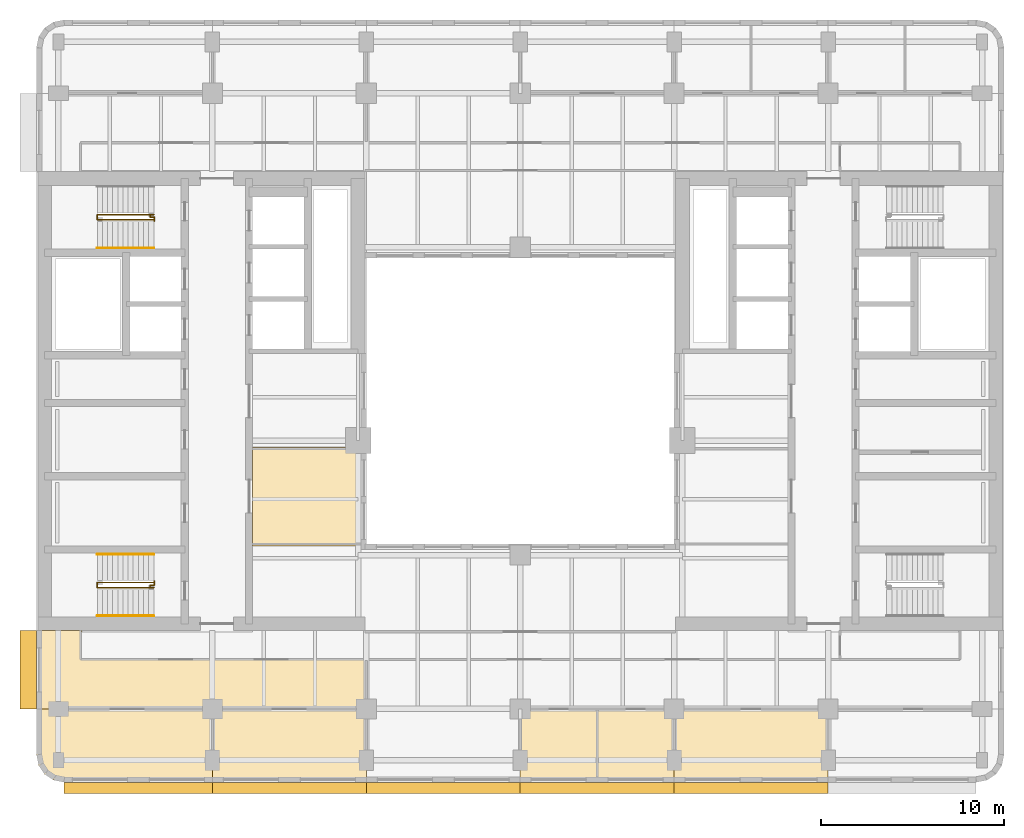
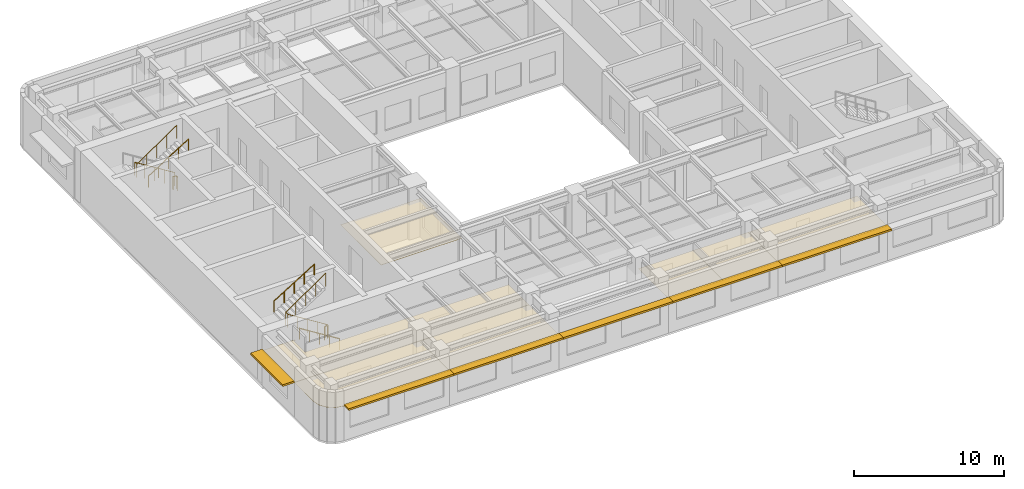
# One storey, part 9 of 11: 7 coverings, 7 railings, 6 shading devices.
"""IFC4 building model written with IfcOpenShell, lengths in metres."""

from ifc_helpers import new_model, si_unit, direction, frame, origin, origin_2d, place, context, subcontext, project, spatial, polyline, rectangle, circle, outline, extrude, material, layer, layer_set, type_object, element, save


model = new_model("IFC4")

# Units and contexts
model_context = context("Model", 3, precision=1e-05, world=origin(), true_north=direction((0.0, 1.0)))
body_context = subcontext(model_context, "Body", "Model", "MODEL_VIEW")
ifc_project = project(units=[si_unit("LENGTHUNIT", "METRE"), si_unit("AREAUNIT", "SQUARE_METRE"), si_unit("VOLUMEUNIT", "CUBIC_METRE"), si_unit("PLANEANGLEUNIT", "RADIAN"), si_unit("MASSUNIT", "GRAM", prefix="KILO")], contexts=[model_context])

# Site, building, storey
site_placement = place(None, origin())
site = spatial("IfcSite", under=ifc_project, at=site_placement, CompositionType="ELEMENT")
building_placement = place(site_placement, origin())
building = spatial("IfcBuilding", under=site, at=building_placement, Name="Claustro Exchange Tower", CompositionType="ELEMENT")
storey_placement = place(building_placement, frame((0.0, 0.0, 236.39990234375)))
storey = spatial("IfcBuildingStorey", under=building, at=storey_placement, Name="L54", CompositionType="ELEMENT", Elevation=236.39990234375)

# Coverings
ifc_material_1 = material(Name="Perforated metal ceiling tiles", Category="steel")
ifc_layer_1 = layer(ifc_material_1, 0.030029296875)
ifc_layer_set_1 = layer_set([ifc_layer_1], Name="Perforated metal ceiling tiles")
covering_type_1 = type_object("IfcCoveringType", Name="CL1 suspended metal ceiling", PredefinedType="CEILING", material=ifc_layer_set_1)
covering_1_placement = place(storey_placement, frame((0.0, 0.0, 2.800048828125)))
element("IfcCovering", 1, at=covering_1_placement, inside=storey, type_object=covering_type_1, Name="Ceiling CL1 L54-08", PredefinedType="CEILING", context=body_context, shape_type="SweptSolid", body=[
    extrude(outline(polyline([(1.199951171875, 11.10009765625), (1.199951171875, 12.60009765625), (1.294921875, 12.60009765625), (1.294921875, 12.675048828125), (-1.125, 12.675048828125), (-1.125, 12.695068359375), (-1.199951171875, 12.695068359375), (-1.199951171875, 8.39990234375), (16.800048828125, 8.39990234375), (16.800048828125, 11.10009765625), (1.199951171875, 11.10009765625)])), origin(), (0.0, 0.0, 1.0), 0.030029296875),
])
ifc_material_2 = material(Name="Gypsum board ceiling", Category="gypsum board")
ifc_layer_2 = layer(ifc_material_2, 0.02490234375)
ifc_layer_set_2 = layer_set([ifc_layer_2], Name="Gypsum board ceiling")
covering_type_2 = type_object("IfcCoveringType", Name="CL2 plasterboard ceiling", PredefinedType="CEILING", material=ifc_layer_set_2)
covering_2_placement = place(storey_placement, frame((0.0, 0.0, 2.800048828125)))
element("IfcCovering", 2, at=covering_2_placement, inside=storey, type_object=covering_type_2, Name="Ceiling CL2 L54-01", PredefinedType="CEILING", context=body_context, shape_type="SweptSolid", body=[
    extrude(outline(polyline([(-1.085693359375, 5.325927734375), (-0.7607421875, 4.83935546875), (-0.27392578125, 4.51416015625), (0.300048828125, 4.39990234375), (8.39990234375, 4.39990234375), (8.39990234375, 8.39990234375), (-1.199951171875, 8.39990234375), (-1.199951171875, 5.89990234375), (-1.085693359375, 5.325927734375)])), origin(), (0.0, 0.0, 1.0), 0.025146484375),
])
covering_3_placement = place(storey_placement, frame((0.0, 0.0, 2.800048828125)))
element("IfcCovering", 3, at=covering_3_placement, inside=storey, type_object=covering_type_2, Name="Ceiling CL2 L54-02", PredefinedType="CEILING", context=body_context, shape_type="SweptSolid", body=[
    extrude(outline(polyline([(8.39990234375, 4.39990234375), (16.800048828125, 4.39990234375), (16.800048828125, 8.39990234375), (8.39990234375, 8.39990234375), (8.39990234375, 4.39990234375)])), origin(), (0.0, 0.0, 1.0), 0.025146484375),
])
covering_4_placement = place(storey_placement, frame((0.0, 0.0, 2.800048828125)))
element("IfcCovering", 4, at=covering_4_placement, inside=storey, type_object=covering_type_2, Name="Ceiling CL2 L54-03", PredefinedType="CEILING", context=body_context, shape_type="SweptSolid", body=[
    extrude(outline(polyline([(25.199951171875, 4.39990234375), (29.39990234375, 4.39990234375), (29.39990234375, 8.39990234375), (25.199951171875, 8.39990234375), (25.199951171875, 4.39990234375)])), origin(), (0.0, 0.0, 1.0), 0.025146484375),
])
covering_5_placement = place(storey_placement, frame((0.0, 0.0, 2.800048828125)))
element("IfcCovering", 5, at=covering_5_placement, inside=storey, type_object=covering_type_2, Name="Ceiling CL2 L54-04", PredefinedType="CEILING", context=body_context, shape_type="SweptSolid", body=[
    extrude(outline(polyline([(29.39990234375, 4.39990234375), (33.60009765625, 4.39990234375), (33.60009765625, 8.39990234375), (29.39990234375, 8.39990234375), (29.39990234375, 4.39990234375)])), origin(), (0.0, 0.0, 1.0), 0.025146484375),
])
covering_6_placement = place(storey_placement, frame((0.0, 0.0, 2.800048828125)))
element("IfcCovering", 6, at=covering_6_placement, inside=storey, type_object=covering_type_2, Name="Ceiling CL2 L54-05", PredefinedType="CEILING", context=body_context, shape_type="SweptSolid", body=[
    extrude(outline(polyline([(33.60009765625, 4.39990234375), (42.0, 4.39990234375), (42.0, 8.39990234375), (33.60009765625, 8.39990234375), (33.60009765625, 4.39990234375)])), origin(), (0.0, 0.0, 1.0), 0.025146484375),
])
covering_7_placement = place(storey_placement, frame((0.0, 0.0, 2.800048828125)))
element("IfcCovering", 7, at=covering_7_placement, inside=storey, type_object=covering_type_2, Name="Ceiling CL2 L54-12", PredefinedType="CEILING", context=body_context, shape_type="SweptSolid", body=[
    extrude(outline(polyline([(10.60009765625, 22.695068359375), (10.60009765625, 17.304931640625), (16.800048828125, 17.304931640625), (16.800048828125, 22.695068359375), (10.60009765625, 22.695068359375)])), origin(), (0.0, 0.0, 1.0), 0.025146484375),
])

# Railings
ifc_material_3 = material(Name="Steel balustrade, painted", Category="steel")
railing_type_1 = type_object("IfcRailingType", Name="GR2 1100 steel stair guard", PredefinedType="GUARDRAIL", material=ifc_material_3)
railing_1_placement = place(storey_placement, frame((5.199951171875, 15.02490234375, 0.175048828125)))
element("IfcRailing", 8, at=railing_1_placement, inside=storey, type_object=railing_type_1, Name="Stair well guard GR2 stair STWA L54", PredefinedType="GUARDRAIL", context=body_context, shape_type="SweptSolid", body=[
    extrude(circle(Radius=0.02392578125, at=origin_2d()), frame((0.0, 0.0, 1.076171875), z_axis=(-0.847979421464, 0.0, 0.530029150871), x_axis=(0.0, -1.0, 0.0)), (0.0, 0.0, 1.0), 3.632080078125),
    extrude(circle(Radius=0.02392578125, at=origin_2d()), frame((-3.079833984375, 0.0, 3.0009765625), z_axis=(0.0, 1.0, 0.0), x_axis=(-1.0, 0.0, 0.0)), (0.0, 0.0, 1.0), 0.275146484375),
    extrude(circle(Radius=0.02392578125, at=origin_2d()), frame((-3.079833984375, 0.275146484375, 3.0009765625), z_axis=(0.826201015165, 0.0, 0.563375436579), x_axis=(0.0, 1.0, 0.0)), (0.0, 0.0, 1.0), 3.727783203125),
    extrude(circle(Radius=0.02099609375, at=origin_2d()), origin(), (0.0, 0.0, 1.0), 1.052001953125),
    extrude(circle(Radius=0.02099609375, at=origin_2d()), frame((-0.77001953125, 0.0, 0.481201171875)), (0.0, 0.0, 1.0), 1.052001953125),
    extrude(circle(Radius=0.02099609375, at=origin_2d()), frame((-1.5400390625, 0.0, 0.96240234375)), (0.0, 0.0, 1.0), 1.052001953125),
    extrude(circle(Radius=0.02099609375, at=origin_2d()), frame((-2.309814453125, 0.0, 1.44384765625)), (0.0, 0.0, 1.0), 1.052001953125),
    extrude(circle(Radius=0.02099609375, at=origin_2d()), frame((-3.079833984375, 0.0, 1.925048828125)), (0.0, 0.0, 1.0), 1.052001953125),
    extrude(circle(Radius=0.02099609375, at=origin_2d()), frame((-3.079833984375, 0.275146484375, 1.925048828125)), (0.0, 0.0, 1.0), 1.052001953125),
    extrude(circle(Radius=0.02099609375, at=origin_2d()), frame((-2.309814453125, 0.275146484375, 2.4501953125)), (0.0, 0.0, 1.0), 1.052001953125),
    extrude(circle(Radius=0.02099609375, at=origin_2d()), frame((-1.5400390625, 0.275146484375, 2.97509765625)), (0.0, 0.0, 1.0), 1.052001953125),
    extrude(circle(Radius=0.02099609375, at=origin_2d()), frame((-0.77001953125, 0.275146484375, 3.5)), (0.0, 0.0, 1.0), 1.052001953125),
    extrude(circle(Radius=0.02099609375, at=origin_2d()), frame((0.0, 0.275146484375, 4.025146484375)), (0.0, 0.0, 1.0), 1.052001953125),
])
railing_2_placement = place(storey_placement, frame((5.0, 15.094970703125, 0.0)))
element("IfcRailing", 9, at=railing_2_placement, inside=storey, type_object=railing_type_1, Name="Stair guard GR2 STWA L54", PredefinedType="GUARDRAIL", context=body_context, shape_type="SweptSolid", body=[
    extrude(circle(Radius=0.02392578125, at=origin_2d()), frame((0.0, 0.0, 1.076171875), z_axis=(0.0, 1.0, 0.0), x_axis=(-1.0, 0.0, 0.0)), (0.0, 0.0, 1.0), 0.067626953125),
    extrude(circle(Radius=0.02392578125, at=origin_2d()), frame((0.0, 0.067626953125, 1.076171875), z_axis=(1.0, 0.0, 0.0), x_axis=(0.0, 1.0, 0.0)), (0.0, 0.0, 1.0), 0.22509765625),
    extrude(circle(Radius=0.02392578125, at=origin_2d()), frame((0.22509765625, 0.067626953125, 1.076171875), z_axis=(0.0, 1.0, 0.0), x_axis=(-1.0, 0.0, 0.0)), (0.0, 0.0, 1.0), 0.21728515625),
    extrude(circle(Radius=0.02099609375, at=origin_2d()), origin(), (0.0, 0.0, 1.0), 1.052001953125),
    extrude(circle(Radius=0.02099609375, at=origin_2d()), frame((0.0, 0.067626953125, 0.0)), (0.0, 0.0, 1.0), 1.052001953125),
    extrude(circle(Radius=0.02099609375, at=origin_2d()), frame((0.22509765625, 0.067626953125, 0.0)), (0.0, 0.0, 1.0), 1.052001953125),
    extrude(circle(Radius=0.02099609375, at=origin_2d()), frame((0.22509765625, 0.284912109375, 0.0)), (0.0, 0.0, 1.0), 1.052001953125),
])
railing_3_placement = place(storey_placement, frame((5.199951171875, 35.375, 0.175048828125)))
element("IfcRailing", 10, at=railing_3_placement, inside=storey, type_object=railing_type_1, Name="Stair well guard GR2 stair STWB L54", PredefinedType="GUARDRAIL", context=body_context, shape_type="SweptSolid", body=[
    extrude(circle(Radius=0.02392578125, at=origin_2d()), frame((0.0, 0.0, 1.076171875), z_axis=(-0.847979421464, 0.0, 0.530029150871), x_axis=(0.0, -1.0, 0.0)), (0.0, 0.0, 1.0), 3.632080078125),
    extrude(circle(Radius=0.02392578125, at=origin_2d()), frame((-3.079833984375, 0.0, 3.0009765625), z_axis=(0.0, -1.0, 0.0), x_axis=(1.0, 0.0, 0.0)), (0.0, 0.0, 1.0), 0.27490234375),
    extrude(circle(Radius=0.02392578125, at=origin_2d()), frame((-3.079833984375, -0.27490234375, 3.0009765625), z_axis=(0.826201015165, 0.0, 0.563375436579), x_axis=(0.0, 1.0, 0.0)), (0.0, 0.0, 1.0), 3.727783203125),
    extrude(circle(Radius=0.02099609375, at=origin_2d()), origin(), (0.0, 0.0, 1.0), 1.052001953125),
    extrude(circle(Radius=0.02099609375, at=origin_2d()), frame((-0.77001953125, 0.0, 0.481201171875)), (0.0, 0.0, 1.0), 1.052001953125),
    extrude(circle(Radius=0.02099609375, at=origin_2d()), frame((-1.5400390625, 0.0, 0.96240234375)), (0.0, 0.0, 1.0), 1.052001953125),
    extrude(circle(Radius=0.02099609375, at=origin_2d()), frame((-2.309814453125, 0.0, 1.44384765625)), (0.0, 0.0, 1.0), 1.052001953125),
    extrude(circle(Radius=0.02099609375, at=origin_2d()), frame((-3.079833984375, 0.0, 1.925048828125)), (0.0, 0.0, 1.0), 1.052001953125),
    extrude(circle(Radius=0.02099609375, at=origin_2d()), frame((-3.079833984375, -0.27490234375, 1.925048828125)), (0.0, 0.0, 1.0), 1.052001953125),
    extrude(circle(Radius=0.02099609375, at=origin_2d()), frame((-2.309814453125, -0.27490234375, 2.4501953125)), (0.0, 0.0, 1.0), 1.052001953125),
    extrude(circle(Radius=0.02099609375, at=origin_2d()), frame((-1.5400390625, -0.27490234375, 2.97509765625)), (0.0, 0.0, 1.0), 1.052001953125),
    extrude(circle(Radius=0.02099609375, at=origin_2d()), frame((-0.77001953125, -0.27490234375, 3.5)), (0.0, 0.0, 1.0), 1.052001953125),
    extrude(circle(Radius=0.02099609375, at=origin_2d()), frame((0.0, -0.27490234375, 4.025146484375)), (0.0, 0.0, 1.0), 1.052001953125),
])
railing_4_placement = place(storey_placement, frame((5.0, 35.304931640625, 0.0)))
element("IfcRailing", 11, at=railing_4_placement, inside=storey, type_object=railing_type_1, Name="Stair guard GR2 STWB L54", PredefinedType="GUARDRAIL", context=body_context, shape_type="SweptSolid", body=[
    extrude(circle(Radius=0.02392578125, at=origin_2d()), frame((0.0, 0.0, 1.076171875), z_axis=(0.0, -1.0, 0.0), x_axis=(1.0, 0.0, 0.0)), (0.0, 0.0, 1.0), 0.0673828125),
    extrude(circle(Radius=0.02392578125, at=origin_2d()), frame((0.0, -0.0673828125, 1.076171875), z_axis=(1.0, 0.0, 0.0), x_axis=(0.0, 1.0, 0.0)), (0.0, 0.0, 1.0), 0.22509765625),
    extrude(circle(Radius=0.02392578125, at=origin_2d()), frame((0.22509765625, -0.0673828125, 1.076171875), z_axis=(0.0, -1.0, 0.0), x_axis=(1.0, 0.0, 0.0)), (0.0, 0.0, 1.0), 0.217529296875),
    extrude(circle(Radius=0.02099609375, at=origin_2d()), origin(), (0.0, 0.0, 1.0), 1.052001953125),
    extrude(circle(Radius=0.02099609375, at=origin_2d()), frame((0.0, -0.0673828125, 0.0)), (0.0, 0.0, 1.0), 1.052001953125),
    extrude(circle(Radius=0.02099609375, at=origin_2d()), frame((0.22509765625, -0.0673828125, 0.0)), (0.0, 0.0, 1.0), 1.052001953125),
    extrude(circle(Radius=0.02099609375, at=origin_2d()), frame((0.22509765625, -0.284912109375, 0.0)), (0.0, 0.0, 1.0), 1.052001953125),
])
ifc_material_4 = material(Name="Stainless steel tube", Category="steel")
railing_type_2 = type_object("IfcRailingType", Name="HR1 900 stair handrail", PredefinedType="HANDRAIL", material=ifc_material_4)
railing_5_placement = place(storey_placement, frame((5.199951171875, 13.485107421875, 0.175048828125)))
element("IfcRailing", 12, at=railing_5_placement, inside=storey, type_object=railing_type_2, Name="Handrail HR1 stair STWA L54", PredefinedType="HANDRAIL", context=body_context, shape_type="SweptSolid", body=[
    extrude(circle(Radius=0.02392578125, at=origin_2d()), frame((0.0, 0.0, 0.8759765625), z_axis=(-0.847979421464, 0.0, 0.530029150871), x_axis=(0.0, -1.0, 0.0)), (0.0, 0.0, 1.0), 3.632080078125),
    extrude(circle(Radius=0.02099609375, at=origin_2d()), origin(), (0.0, 0.0, 1.0), 0.851806640625),
    extrude(circle(Radius=0.02099609375, at=origin_2d()), frame((-0.77001953125, 0.0, 0.481201171875)), (0.0, 0.0, 1.0), 0.851806640625),
    extrude(circle(Radius=0.02099609375, at=origin_2d()), frame((-1.5400390625, 0.0, 0.96240234375)), (0.0, 0.0, 1.0), 0.851806640625),
    extrude(circle(Radius=0.02099609375, at=origin_2d()), frame((-2.309814453125, 0.0, 1.44384765625)), (0.0, 0.0, 1.0), 0.851806640625),
    extrude(circle(Radius=0.02099609375, at=origin_2d()), frame((-3.079833984375, 0.0, 1.925048828125)), (0.0, 0.0, 1.0), 0.851806640625),
])
for number, where, name in (
    (13, (2.1201171875, 16.840087890625, 2.275146484375), "Handrail HR1 stair STWA L54"),
    (14, (2.1201171875, 33.56005859375, 2.275146484375), "Handrail HR1 stair STWB L54"),
):
    element("IfcRailing", number, at=place(storey_placement, frame(where)), inside=storey, type_object=railing_type_2, Name=name, PredefinedType="HANDRAIL", context=body_context, shape_type="SweptSolid", body=[
        extrude(circle(Radius=0.02392578125, at=origin_2d()), frame((0.0, 0.0, 0.8759765625), z_axis=(0.847979421464, 0.0, 0.530029150871), x_axis=(0.0, 1.0, 0.0)), (0.0, 0.0, 1.0), 3.632080078125),
        extrude(circle(Radius=0.02099609375, at=origin_2d()), origin(), (0.0, 0.0, 1.0), 0.851806640625),
        extrude(circle(Radius=0.02099609375, at=origin_2d()), frame((0.77001953125, 0.0, 0.481201171875)), (0.0, 0.0, 1.0), 0.851806640625),
        extrude(circle(Radius=0.02099609375, at=origin_2d()), frame((1.5400390625, 0.0, 0.96240234375)), (0.0, 0.0, 1.0), 0.851806640625),
        extrude(circle(Radius=0.02099609375, at=origin_2d()), frame((2.309814453125, 0.0, 1.44384765625)), (0.0, 0.0, 1.0), 0.851806640625),
        extrude(circle(Radius=0.02099609375, at=origin_2d()), frame((3.079833984375, 0.0, 1.925048828125)), (0.0, 0.0, 1.0), 0.851806640625),
    ])

# Shading devices
ifc_material_5 = material(Name="Concrete HA-40 (C40/50), precast, white cement, acid-etched", Category="concrete")
ifc_layer_3 = layer(ifc_material_5, 0.14990234375)
ifc_layer_set_3 = layer_set([ifc_layer_3], Name="Concrete HA-40 (C40/50), precast, white cement, acid-etched")
shading_device_type_1 = type_object("IfcShadingDeviceType", Name="SS1 600 precast concrete SUNSHADE", PredefinedType="SHUTTER", material=ifc_layer_set_3)
for number, where, z_axis, x_axis, name in (
    (15, (37.800048828125, 4.10009765625, 2.800048828125), (0.0, 0.0, 1.0), (-1.0, 0.0, 0.0), "Precast SUNSHADE SS1 L54"),
    (16, (29.39990234375, 4.10009765625, 2.800048828125), (0.0, 0.0, 1.0), (-1.0, 0.0, 0.0), "Precast SUNSHADE SS1 L54"),
    (17, (21.0, 4.10009765625, 2.800048828125), (0.0, 0.0, 1.0), (-1.0, 0.0, 0.0), "Precast SUNSHADE SS1 L54"),
    (18, (12.60009765625, 4.10009765625, 2.800048828125), (0.0, 0.0, 1.0), (-1.0, 0.0, 0.0), "Precast SUNSHADE SS1 L54"),
):
    element("IfcShadingDevice", number, at=place(storey_placement, frame(where, z_axis=z_axis, x_axis=x_axis)), inside=storey, type_object=shading_device_type_1, Name=name, PredefinedType="SHUTTER", context=body_context, shape_type="SweptSolid", body=[
        extrude(rectangle(XDim=8.39990234375, YDim=0.60009765625, at=origin_2d()), origin(), (0.0, 0.0, 1.0), 0.14990234375),
    ])
shading_device_1_placement = place(storey_placement, frame((4.357421875, 4.10009765625, 2.800048828125), z_axis=(0.0, 0.0, 1.0), x_axis=(-1.0, 0.0, 0.0)))
element("IfcShadingDevice", 19, at=shading_device_1_placement, inside=storey, type_object=shading_device_type_1, Name="Precast SUNSHADE SS1 L54", PredefinedType="SHUTTER", context=body_context, shape_type="SweptSolid", body=[
    extrude(rectangle(XDim=8.085205078125, YDim=0.60009765625, at=origin_2d()), origin(), (0.0, 0.0, 1.0), 0.14990234375),
])
ifc_material_6 = material(Name="Concrete HA-40 (C40/50), precast, white cement, acid-etched", Category="concrete")
ifc_layer_4 = layer(ifc_material_6, 0.14990234375)
ifc_layer_set_4 = layer_set([ifc_layer_4], Name="Concrete HA-40 (C40/50), precast, white cement, acid-etched")
shading_device_type_2 = type_object("IfcShadingDeviceType", Name="SS2 900 precast concrete SUNSHADE", PredefinedType="SHUTTER", material=ifc_layer_set_4)
shading_device_2_placement = place(storey_placement, frame((-1.64990234375, 10.53759765625, 2.800048828125), z_axis=(0.0, 0.0, 1.0), x_axis=(0.0, 1.0, 0.0)))
element("IfcShadingDevice", 20, at=shading_device_2_placement, inside=storey, type_object=shading_device_type_2, Name="Precast SUNSHADE SS2 L54", PredefinedType="SHUTTER", context=body_context, shape_type="SweptSolid", body=[
    extrude(rectangle(XDim=4.27490234375, YDim=0.89990234375, at=origin_2d()), origin(), (0.0, 0.0, 1.0), 0.14990234375),
])

save(model, "model.ifc")
